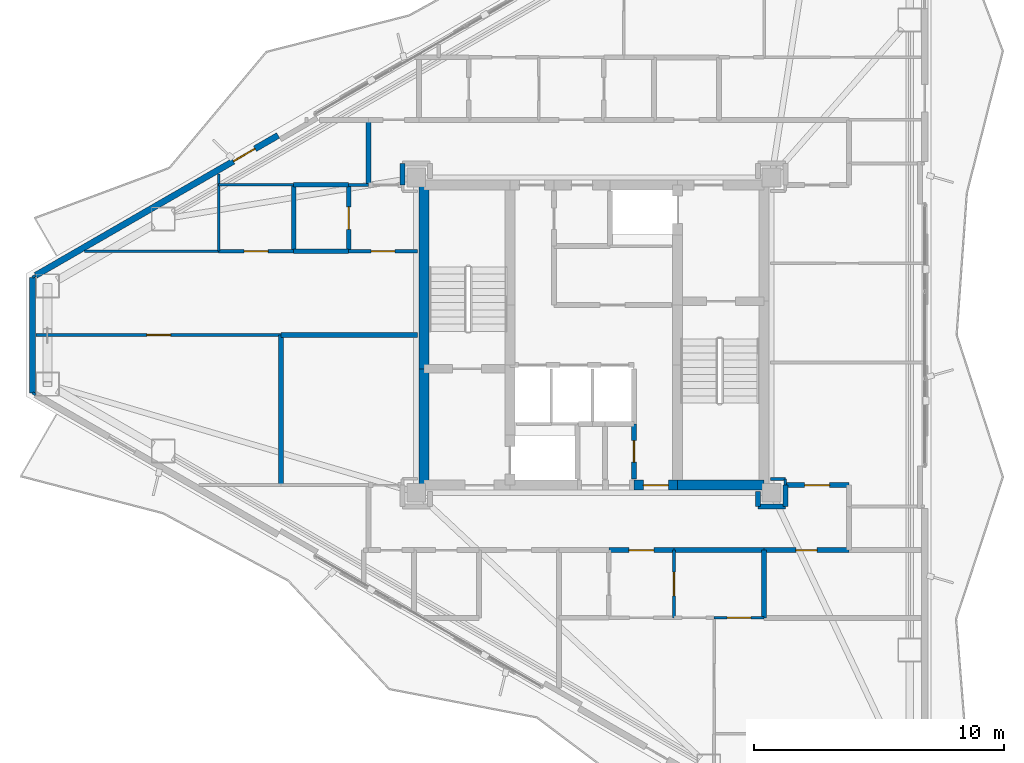
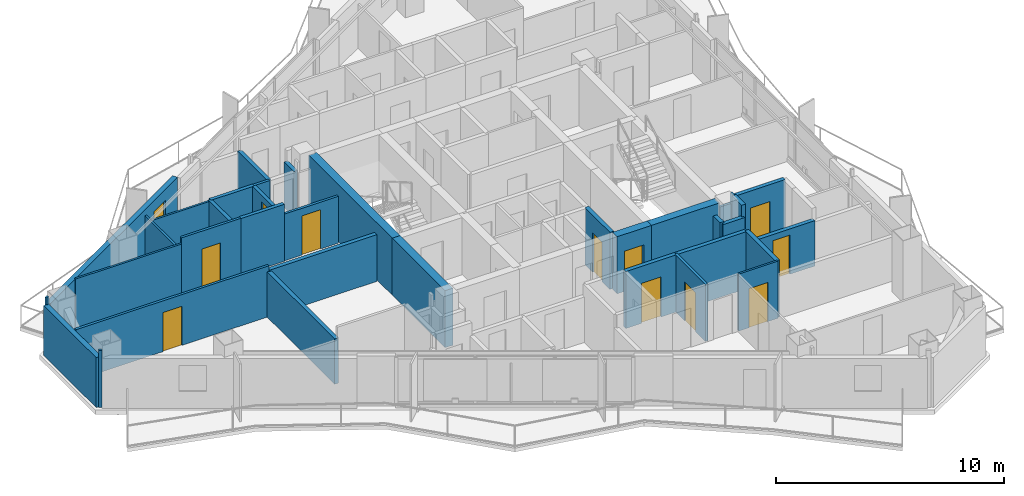
# One storey, part 13 of 19: 36 walls, 12 doors, 12 openings.
"""IFC4 building model written with IfcOpenShell, lengths in metres."""

from ifc_helpers import new_model, si_unit, direction, frame, frame_2d, origin, place, context, subcontext, project, spatial, rectangle, extrude, material, layer, layer_set, type_object, element, fill, save


model = new_model("IFC4")

# Units and contexts
model_context = context("Model", 3, precision=1e-05, world=origin(), true_north=direction((0.0, 1.0)))
body_context = subcontext(model_context, "Body", "Model", "MODEL_VIEW")
ifc_project = project(units=[si_unit("LENGTHUNIT", "METRE"), si_unit("AREAUNIT", "SQUARE_METRE"), si_unit("VOLUMEUNIT", "CUBIC_METRE"), si_unit("PLANEANGLEUNIT", "RADIAN"), si_unit("MASSUNIT", "GRAM", prefix="KILO")], contexts=[model_context])

# Site, building, storey
site_placement = place(None, origin())
site = spatial("IfcSite", under=ifc_project, at=site_placement, CompositionType="ELEMENT")
building_placement = place(site_placement, origin())
building = spatial("IfcBuilding", under=site, at=building_placement, Name="Mersakhor Tower and Convention Hall", CompositionType="ELEMENT")
storey_placement = place(building_placement, frame((0.0, 0.0, 131.10009765625)))
storey = spatial("IfcBuildingStorey", under=building, at=storey_placement, Name="L36", CompositionType="ELEMENT", Elevation=131.10009765625)

# Wall
ifc_material_1 = material(Name="Precast concrete C40/50", Category="concrete")
ifc_layer_1 = layer(ifc_material_1, 0.25)
ifc_layer_set_1 = layer_set([ifc_layer_1], Name="Precast concrete C40/50")
wall_type_1 = type_object("IfcWallType", Name="WL-EXT-250", PredefinedType="SOLIDWALL", material=ifc_layer_set_1)
wall_1_placement = place(storey_placement, frame((6.560302734375, 24.44140625, 0.0), z_axis=(0.0, 0.0, 1.0), x_axis=(0.0, 1.0, 0.0)))
element("IfcWall", 1, at=wall_1_placement, inside=storey, type_object=wall_type_1, Name="L36 Chamfer Braced Spandrel Wall C3", PredefinedType="SOLIDWALL", context=body_context, shape_type="SweptSolid", body=[
    extrude(rectangle(XDim=4.6171875, YDim=0.25, at=frame_2d((2.30859375, 0.0))), origin(), (0.0, 0.0, 1.0), 2.679931640625),
])

# Wall, opening, door
wall_2_placement = place(storey_placement, frame((6.690185546875, 29.1337890625, 0.0), z_axis=(0.0, 0.0, 1.0), x_axis=(0.866027848477, 0.499995765644, 0.0)))
wall_2 = element("IfcWall", 2, at=wall_2_placement, inside=storey, type_object=wall_type_1, Name="L36 Exterior Facade Wall F1-B1", PredefinedType="SOLIDWALL", context=body_context, shape_type="SweptSolid", body=[
    extrude(rectangle(XDim=11.18603515625, YDim=0.25, at=frame_2d((5.593017578125, 0.0))), origin(), (0.0, 0.0, 1.0), 2.679931640625),
])
opening_1_placement = place(wall_2_placement, frame((9.1220703125, 0.0, 0.0)))
opening_1 = element("IfcOpeningElement", 3, at=opening_1_placement, cuts=wall_2, Name="Opening BD-01", PredefinedType="OPENING", context=body_context, shape_type="SweptSolid", body=[
    extrude(rectangle(XDim=1.0, YDim=2.10009765625, at=frame_2d((0.5, 1.050048828125))), frame((0.0, 0.135009765625, 0.0), z_axis=(0.0, -1.0, 0.0), x_axis=(1.0, 0.0, 0.0)), (0.0, 0.0, 1.0), 0.27001953125),
])
ifc_material_2 = material(Name="Thermally broken dark aluminium and safety glass", Category="aluminium")
door_type_1 = type_object("IfcDoorType", Name="DR-BAL-100x210", OperationType="NOTDEFINED", PredefinedType="DOOR", material=ifc_material_2)
door_1_placement = place(opening_1_placement, origin())
door_1 = element("IfcDoor", 4, at=door_1_placement, inside=storey, type_object=door_type_1, Name="L36 Balcony Terrace Door F1-B1", OperationType="SINGLE_SWING_LEFT", OverallHeight=2.10009765625, OverallWidth=1.0, PredefinedType="DOOR", context=body_context, shape_type="SweptSolid", body=[
    extrude(rectangle(XDim=1.0, YDim=2.10009765625, at=frame_2d((0.5, 1.050048828125))), frame((0.0, 0.02490234375, 0.0), z_axis=(0.0, -1.0, 0.0), x_axis=(1.0, 0.0, 0.0)), (0.0, 0.0, 1.0), 0.050048828125),
])
fill(opening_1, door_1)

ifc_material_3 = material(Name="Moisture-resistant acoustic drywall studwork", Category="other")
ifc_layer_2 = layer(ifc_material_3, 0.175048828125)
ifc_layer_set_2 = layer_set([ifc_layer_2], Name="Moisture-resistant acoustic drywall studwork")
wall_type_2 = type_object("IfcWallType", Name="WL-PLM-175", PredefinedType="PLUMBINGWALL", material=ifc_layer_set_2)
wall_3_placement = place(storey_placement, frame((19.199951171875, 30.10009765625, 0.0), z_axis=(0.0, 0.0, 1.0), x_axis=(0.0, 1.0, 0.0)))
wall_3 = element("IfcWall", 5, at=wall_3_placement, inside=storey, type_object=wall_type_2, Name="L36 Interior Partition Wall P-060", PredefinedType="PLUMBINGWALL", context=body_context, shape_type="SweptSolid", body=[
    extrude(rectangle(XDim=2.64990234375, YDim=0.175048828125, at=frame_2d((1.324951171875, 0.0))), origin(), (0.0, 0.0, 1.0), 2.4326171875),
])
opening_2_placement = place(wall_3_placement, frame((0.875, 0.0, 0.0)))
opening_2 = element("IfcOpeningElement", 6, at=opening_2_placement, cuts=wall_3, Name="Opening WD-01", PredefinedType="OPENING", context=body_context, shape_type="SweptSolid", body=[
    extrude(rectangle(XDim=0.89990234375, YDim=2.10009765625, at=frame_2d((0.449951171875, 1.050048828125))), frame((0.0, 0.097412109375, 0.0), z_axis=(0.0, -1.0, 0.0), x_axis=(1.0, 0.0, 0.0)), (0.0, 0.0, 1.0), 0.195068359375),
])
ifc_material_4 = material(Name="Solid-core hardwood leaf in painted steel frame", Category="steel")
door_type_2 = type_object("IfcDoorType", Name="DR-INT-WET-090x210", OperationType="NOTDEFINED", PredefinedType="DOOR", material=ifc_material_4)
door_2_placement = place(opening_2_placement, origin())
door_2 = element("IfcDoor", 7, at=door_2_placement, inside=storey, type_object=door_type_2, Name="L36 L36 Flat W4 Apartment Hall to L36 Flat W4 Bathroom Door", OperationType="SINGLE_SWING_RIGHT", OverallHeight=2.10009765625, OverallWidth=0.89990234375, PredefinedType="DOOR", context=body_context, shape_type="SweptSolid", body=[
    extrude(rectangle(XDim=0.89990234375, YDim=2.10009765625, at=frame_2d((0.449951171875, 1.050048828125))), frame((0.0, 0.02490234375, 0.0), z_axis=(0.0, -1.0, 0.0), x_axis=(1.0, 0.0, 0.0)), (0.0, 0.0, 1.0), 0.050048828125),
])
fill(opening_2, door_2)

# Walls
wall_4_placement = place(storey_placement, frame((17.0, 32.75, 0.0), z_axis=(0.0, 0.0, 1.0), x_axis=(1.0, 0.0, 0.0)))
element("IfcWall", 8, at=wall_4_placement, inside=storey, type_object=wall_type_2, Name="L36 Interior Partition Wall P-079", PredefinedType="PLUMBINGWALL", context=body_context, shape_type="SweptSolid", body=[
    extrude(rectangle(XDim=2.199951171875, YDim=0.175048828125, at=frame_2d((1.10009765625, 0.0))), origin(), (0.0, 0.0, 1.0), 2.4326171875),
])
wall_5_placement = place(storey_placement, frame((19.199951171875, 30.10009765625, 0.0), z_axis=(0.0, 0.0, 1.0), x_axis=(-1.0, 0.0, 0.0)))
element("IfcWall", 9, at=wall_5_placement, inside=storey, type_object=wall_type_2, Name="L36 Interior Partition Wall P-080", PredefinedType="PLUMBINGWALL", context=body_context, shape_type="SweptSolid", body=[
    extrude(rectangle(XDim=2.199951171875, YDim=0.175048828125, at=frame_2d((1.10009765625, 0.0))), origin(), (0.0, 0.0, 1.0), 3.059814453125),
])
wall_6_placement = place(storey_placement, frame((17.0, 30.10009765625, 0.0), z_axis=(0.0, 0.0, 1.0), x_axis=(0.0, 1.0, 0.0)))
element("IfcWall", 10, at=wall_6_placement, inside=storey, type_object=wall_type_2, Name="L36 Interior Partition Wall P-081", PredefinedType="PLUMBINGWALL", context=body_context, shape_type="SweptSolid", body=[
    extrude(rectangle(XDim=2.64990234375, YDim=0.175048828125, at=frame_2d((1.324951171875, 0.0))), origin(), (0.0, 0.0, 1.0), 2.4326171875),
])

# Wall, opening, door
ifc_material_5 = material(Name="Lightweight gypsum partition", Category="other")
ifc_layer_3 = layer(ifc_material_5, 0.10009765625)
ifc_layer_set_3 = layer_set([ifc_layer_3], Name="Lightweight gypsum partition")
wall_type_3 = type_object("IfcWallType", Name="WL-PRT-100", PredefinedType="PARTITIONING", material=ifc_layer_set_3)
wall_7_placement = place(storey_placement, frame((35.800048828125, 15.449951171875, 0.0), z_axis=(0.0, 0.0, 1.0), x_axis=(-1.0, 0.0, 0.0)))
wall_7 = element("IfcWall", 11, at=wall_7_placement, inside=storey, type_object=wall_type_3, Name="L36 Interior Partition Wall P-076", PredefinedType="PARTITIONING", context=body_context, shape_type="SweptSolid", body=[
    extrude(rectangle(XDim=2.0, YDim=0.10009765625, at=frame_2d((1.0, 0.0))), origin(), (0.0, 0.0, 1.0), 3.059814453125),
])
opening_3_placement = place(wall_7_placement, frame((0.52490234375, 0.0, 0.0)))
opening_3 = element("IfcOpeningElement", 12, at=opening_3_placement, cuts=wall_7, Name="Opening RD-01", PredefinedType="OPENING", context=body_context, shape_type="SweptSolid", body=[
    extrude(rectangle(XDim=0.949951171875, YDim=2.10009765625, at=frame_2d((0.47509765625, 1.050048828125))), frame((0.0, 0.06005859375, 0.0), z_axis=(0.0, -1.0, 0.0), x_axis=(1.0, 0.0, 0.0)), (0.0, 0.0, 1.0), 0.1201171875),
])
ifc_material_6 = material(Name="Solid-core hardwood leaf in painted steel frame", Category="steel")
door_type_3 = type_object("IfcDoorType", Name="DR-INT-RM-095x210", OperationType="NOTDEFINED", PredefinedType="DOOR", material=ifc_material_6)
door_3_placement = place(opening_3_placement, origin())
door_3 = element("IfcDoor", 13, at=door_3_placement, inside=storey, type_object=door_type_3, Name="L36 L36 Flat S3 Kitchen to L36 Flat S3 Dining Room Door", OperationType="SINGLE_SWING_RIGHT", OverallHeight=2.10009765625, OverallWidth=0.949951171875, PredefinedType="DOOR", context=body_context, shape_type="SweptSolid", body=[
    extrude(rectangle(XDim=0.949951171875, YDim=2.10009765625, at=frame_2d((0.47509765625, 1.050048828125))), frame((0.0, 0.02490234375, 0.0), z_axis=(0.0, -1.0, 0.0), x_axis=(1.0, 0.0, 0.0)), (0.0, 0.0, 1.0), 0.050048828125),
])
fill(opening_3, door_3)

# Walls
wall_8_placement = place(storey_placement, frame((14.0, 32.75, 0.0), z_axis=(0.0, 0.0, 1.0), x_axis=(1.0, 0.0, 0.0)))
element("IfcWall", 14, at=wall_8_placement, inside=storey, type_object=wall_type_3, Name="L36 Interior Partition Wall P-082", PredefinedType="PARTITIONING", context=body_context, shape_type="SweptSolid", body=[
    extrude(rectangle(XDim=3.0, YDim=0.10009765625, at=frame_2d((1.5, 0.0))), origin(), (0.0, 0.0, 1.0), 2.364990234375),
])
wall_9_placement = place(storey_placement, frame((14.0, 30.10009765625, 0.0), z_axis=(0.0, 0.0, 1.0), x_axis=(0.0, 1.0, 0.0)))
element("IfcWall", 15, at=wall_9_placement, inside=storey, type_object=wall_type_3, Name="L36 Interior Partition Wall P-084", PredefinedType="PARTITIONING", context=body_context, shape_type="SweptSolid", body=[
    extrude(rectangle(XDim=3.081787109375, YDim=0.10009765625, at=frame_2d((1.541015625, 0.0))), origin(), (0.0, 0.0, 1.0), 2.364990234375),
])
wall_10_placement = place(storey_placement, frame((36.64990234375, 20.75, 0.0), z_axis=(0.0, 0.0, 1.0), x_axis=(0.0, 1.0, 0.0)))
element("IfcWall", 16, at=wall_10_placement, inside=storey, type_object=wall_type_3, Name="L36 Interior Partition Wall P-104", PredefinedType="PARTITIONING", context=body_context, shape_type="SweptSolid", body=[
    extrude(rectangle(XDim=0.25, YDim=0.10009765625, at=frame_2d((0.125, 0.0))), origin(), (0.0, 0.0, 1.0), 3.059814453125),
])
wall_11_placement = place(storey_placement, frame((8.634765625, 30.10009765625, 0.0), z_axis=(0.0, 0.0, 1.0), x_axis=(1.0, 0.0, 0.0)))
element("IfcWall", 17, at=wall_11_placement, inside=storey, type_object=wall_type_3, Name="L36 Interior Partition Wall P-124", PredefinedType="PARTITIONING", context=body_context, shape_type="SweptSolid", body=[
    extrude(rectangle(XDim=5.365234375, YDim=0.10009765625, at=frame_2d((2.6826171875, 0.0))), origin(), (0.0, 0.0, 1.0), 2.724365234375),
])
for number, where, z_axis, x_axis, name in (
    (18, (6.56005859375, 29.05908203125, 0.0), (0.0, 0.0, 1.0), (0.866131372301, 0.499816412211, 0.0), "L36 Interior Partition Wall P-126"),
    (19, (6.68994140625, 24.365966796875, 0.0), (0.0, 0.0, 1.0), (-0.866131372301, 0.499816412211, 0.0), "L36 Interior Partition Wall P-128"),
):
    element("IfcWall", number, at=place(storey_placement, frame(where, z_axis=z_axis, x_axis=x_axis)), inside=storey, type_object=wall_type_3, Name=name, PredefinedType="PARTITIONING", context=body_context, shape_type="SweptSolid", body=[
        extrude(rectangle(XDim=0.14990234375, YDim=0.10009765625, at=frame_2d((0.074951171875, 0.0))), origin(), (0.0, 0.0, 1.0), 3.059814453125),
    ])

# Wall, opening, door
ifc_material_7 = material(Name="Gypsum board acoustic partition", Category="other")
ifc_layer_4 = layer(ifc_material_7, 0.125)
ifc_layer_set_4 = layer_set([ifc_layer_4], Name="Gypsum board acoustic partition")
wall_type_4 = type_object("IfcWallType", Name="WL-PRT-125", PredefinedType="PARTITIONING", material=ifc_layer_set_4)
wall_12_placement = place(storey_placement, frame((32.199951171875, 18.14990234375, 0.0), z_axis=(0.0, 0.0, 1.0), x_axis=(0.0, -1.0, 0.0)))
wall_12 = element("IfcWall", 20, at=wall_12_placement, inside=storey, type_object=wall_type_4, Name="L36 Interior Partition Wall P-057", PredefinedType="PARTITIONING", context=body_context, shape_type="SweptSolid", body=[
    extrude(rectangle(XDim=2.699951171875, YDim=0.125, at=frame_2d((1.35009765625, 0.0))), origin(), (0.0, 0.0, 1.0), 3.059814453125),
])
opening_4_placement = place(wall_12_placement, frame((0.875, 0.0, 0.0)))
opening_4 = element("IfcOpeningElement", 21, at=opening_4_placement, cuts=wall_12, Name="Opening RD-01", PredefinedType="OPENING", context=body_context, shape_type="SweptSolid", body=[
    extrude(rectangle(XDim=0.949951171875, YDim=2.10009765625, at=frame_2d((0.47509765625, 1.050048828125))), frame((0.0, 0.072509765625, 0.0), z_axis=(0.0, -1.0, 0.0), x_axis=(1.0, 0.0, 0.0)), (0.0, 0.0, 1.0), 0.14501953125),
])
door_4_placement = place(opening_4_placement, origin())
door_4 = element("IfcDoor", 22, at=door_4_placement, inside=storey, type_object=door_type_3, Name="L36 L36 Flat S3 Apartment Hall to L36 Flat S3 Kitchen Door", OperationType="SINGLE_SWING_RIGHT", OverallHeight=2.10009765625, OverallWidth=0.949951171875, PredefinedType="DOOR", context=body_context, shape_type="SweptSolid", body=[
    extrude(rectangle(XDim=0.949951171875, YDim=2.10009765625, at=frame_2d((0.47509765625, 1.050048828125))), frame((0.0, 0.02490234375, 0.0), z_axis=(0.0, -1.0, 0.0), x_axis=(1.0, 0.0, 0.0)), (0.0, 0.0, 1.0), 0.050048828125),
])
fill(opening_4, door_4)

wall_13_placement = place(storey_placement, frame((21.949951171875, 30.10009765625, 0.0), z_axis=(0.0, 0.0, 1.0), x_axis=(-1.0, 0.0, 0.0)))
wall_13 = element("IfcWall", 23, at=wall_13_placement, inside=storey, type_object=wall_type_4, Name="L36 Interior Partition Wall P-059", PredefinedType="PARTITIONING", context=body_context, shape_type="SweptSolid", body=[
    extrude(rectangle(XDim=2.75, YDim=0.125, at=frame_2d((1.375, 0.0))), origin(), (0.0, 0.0, 1.0), 2.50830078125),
])
opening_5_placement = place(wall_13_placement, frame((0.89990234375, 0.0, 0.0)))
opening_5 = element("IfcOpeningElement", 24, at=opening_5_placement, cuts=wall_13, Name="Opening RD-01", PredefinedType="OPENING", context=body_context, shape_type="SweptSolid", body=[
    extrude(rectangle(XDim=0.949951171875, YDim=2.10009765625, at=frame_2d((0.47509765625, 1.050048828125))), frame((0.0, 0.072509765625, 0.0), z_axis=(0.0, -1.0, 0.0), x_axis=(1.0, 0.0, 0.0)), (0.0, 0.0, 1.0), 0.14501953125),
])
door_5_placement = place(opening_5_placement, origin())
door_5 = element("IfcDoor", 25, at=door_5_placement, inside=storey, type_object=door_type_3, Name="L36 L36 Flat W4 Apartment Hall to L36 Flat W4 Living and Dining Room Door", OperationType="SINGLE_SWING_LEFT", OverallHeight=2.10009765625, OverallWidth=0.949951171875, PredefinedType="DOOR", context=body_context, shape_type="SweptSolid", body=[
    extrude(rectangle(XDim=0.949951171875, YDim=2.10009765625, at=frame_2d((0.47509765625, 1.050048828125))), frame((0.0, 0.02490234375, 0.0), z_axis=(0.0, -1.0, 0.0), x_axis=(1.0, 0.0, 0.0)), (0.0, 0.0, 1.0), 0.050048828125),
])
fill(opening_5, door_5)

# Wall
wall_14_placement = place(storey_placement, frame((19.199951171875, 32.75, 0.0), z_axis=(0.0, 0.0, 1.0), x_axis=(1.0, 0.0, 0.0)))
element("IfcWall", 26, at=wall_14_placement, inside=storey, type_object=wall_type_4, Name="L36 Interior Partition Wall P-061", PredefinedType="PARTITIONING", context=body_context, shape_type="SweptSolid", body=[
    extrude(rectangle(XDim=0.800048828125, YDim=0.125, at=frame_2d((0.39990234375, 0.0))), origin(), (0.0, 0.0, 1.0), 2.4326171875),
])

# Wall, opening, door
wall_15_placement = place(storey_placement, frame((17.0, 30.10009765625, 0.0), z_axis=(0.0, 0.0, 1.0), x_axis=(-1.0, 0.0, 0.0)))
wall_15 = element("IfcWall", 27, at=wall_15_placement, inside=storey, type_object=wall_type_4, Name="L36 Interior Partition Wall P-083", PredefinedType="PARTITIONING", context=body_context, shape_type="SweptSolid", body=[
    extrude(rectangle(XDim=3.0, YDim=0.125, at=frame_2d((1.5, 0.0))), origin(), (0.0, 0.0, 1.0), 3.059814453125),
])
opening_6_placement = place(wall_15_placement, frame((1.02490234375, 0.0, 0.0)))
opening_6 = element("IfcOpeningElement", 28, at=opening_6_placement, cuts=wall_15, Name="Opening RD-01", PredefinedType="OPENING", context=body_context, shape_type="SweptSolid", body=[
    extrude(rectangle(XDim=0.949951171875, YDim=2.10009765625, at=frame_2d((0.47509765625, 1.050048828125))), frame((0.0, 0.072509765625, 0.0), z_axis=(0.0, -1.0, 0.0), x_axis=(1.0, 0.0, 0.0)), (0.0, 0.0, 1.0), 0.14501953125),
])
door_6_placement = place(opening_6_placement, origin())
door_6 = element("IfcDoor", 29, at=door_6_placement, inside=storey, type_object=door_type_3, Name="L36 L36 Flat W4 Kitchen to L36 Flat W4 Living and Dining Room Door", OperationType="SINGLE_SWING_LEFT", OverallHeight=2.10009765625, OverallWidth=0.949951171875, PredefinedType="DOOR", context=body_context, shape_type="SweptSolid", body=[
    extrude(rectangle(XDim=0.949951171875, YDim=2.10009765625, at=frame_2d((0.47509765625, 1.050048828125))), frame((0.0, 0.02490234375, 0.0), z_axis=(0.0, -1.0, 0.0), x_axis=(1.0, 0.0, 0.0)), (0.0, 0.0, 1.0), 0.050048828125),
])
fill(opening_6, door_6)

# Wall
wall_16_placement = place(storey_placement, frame((36.64990234375, 21.0, 0.0), z_axis=(0.0, 0.0, 1.0), x_axis=(-1.0, 0.0, 0.0)))
element("IfcWall", 30, at=wall_16_placement, inside=storey, type_object=wall_type_4, Name="L36 Interior Partition Wall P-105", PredefinedType="PARTITIONING", context=body_context, shape_type="SweptSolid", body=[
    extrude(rectangle(XDim=0.599853515625, YDim=0.125, at=frame_2d((0.2998046875, 0.0))), origin(), (0.0, 0.0, 1.0), 2.50830078125),
])

# Wall, opening, door
wall_17_placement = place(storey_placement, frame((16.5, 26.75, 0.0), z_axis=(0.0, 0.0, 1.0), x_axis=(-1.0, 0.0, 0.0)))
wall_17 = element("IfcWall", 31, at=wall_17_placement, inside=storey, type_object=wall_type_4, Name="L36 Interior Partition Wall P-125", PredefinedType="PARTITIONING", context=body_context, shape_type="SweptSolid", body=[
    extrude(rectangle(XDim=9.790771484375, YDim=0.125, at=frame_2d((4.8955078125, 0.0))), origin(), (0.0, 0.0, 1.0), 2.724365234375),
])
opening_7_placement = place(wall_17_placement, frame((4.42041015625, 0.0, 0.0)))
opening_7 = element("IfcOpeningElement", 32, at=opening_7_placement, cuts=wall_17, Name="Opening RD-01", PredefinedType="OPENING", context=body_context, shape_type="SweptSolid", body=[
    extrude(rectangle(XDim=0.949951171875, YDim=2.10009765625, at=frame_2d((0.47509765625, 1.050048828125))), frame((0.0, 0.072509765625, 0.0), z_axis=(0.0, -1.0, 0.0), x_axis=(1.0, 0.0, 0.0)), (0.0, 0.0, 1.0), 0.14501953125),
])
door_7_placement = place(opening_7_placement, origin())
door_7 = element("IfcDoor", 33, at=door_7_placement, inside=storey, type_object=door_type_3, Name="L36 L36 Flat W4 Living and Dining Room to L36 Flat W4 Master Bedroom Door", OperationType="SINGLE_SWING_LEFT", OverallHeight=2.10009765625, OverallWidth=0.949951171875, PredefinedType="DOOR", context=body_context, shape_type="SweptSolid", body=[
    extrude(rectangle(XDim=0.949951171875, YDim=2.10009765625, at=frame_2d((0.47509765625, 1.050048828125))), frame((0.0, 0.02490234375, 0.0), z_axis=(0.0, -1.0, 0.0), x_axis=(1.0, 0.0, 0.0)), (0.0, 0.0, 1.0), 0.050048828125),
])
fill(opening_7, door_7)

ifc_material_8 = material(Name="Acoustic concrete blockwork and gypsum board", Category="masonry")
ifc_layer_5 = layer(ifc_material_8, 0.199951171875)
ifc_layer_set_5 = layer_set([ifc_layer_5], Name="Acoustic concrete blockwork and gypsum board")
wall_type_5 = type_object("IfcWallType", Name="WL-PRT-200", PredefinedType="PARTITIONING", material=ifc_layer_set_5)
wall_18_placement = place(storey_placement, frame((30.60009765625, 21.0, 0.0), z_axis=(0.0, 0.0, 1.0), x_axis=(0.0, 1.0, 0.0)))
wall_18 = element("IfcWall", 34, at=wall_18_placement, inside=storey, type_object=wall_type_5, Name="L36 Interior Partition Wall P-012", PredefinedType="PARTITIONING", context=body_context, shape_type="SweptSolid", body=[
    extrude(rectangle(XDim=2.199951171875, YDim=0.199951171875, at=frame_2d((1.10009765625, 0.0))), origin(), (0.0, 0.0, 1.0), 3.059814453125),
])
opening_8_placement = place(wall_18_placement, frame((0.675048828125, 0.0, 0.0)))
opening_8 = element("IfcOpeningElement", 35, at=opening_8_placement, cuts=wall_18, Name="Opening SVD-01", PredefinedType="OPENING", context=body_context, shape_type="SweptSolid", body=[
    extrude(rectangle(XDim=0.85009765625, YDim=2.10009765625, at=frame_2d((0.425048828125, 1.050048828125))), frame((0.0, 0.10986328125, 0.0), z_axis=(0.0, -1.0, 0.0), x_axis=(1.0, 0.0, 0.0)), (0.0, 0.0, 1.0), 0.219970703125),
])
ifc_material_9 = material(Name="Fire-rated hardwood leaf and painted steel frame", Category="steel")
door_type_4 = type_object("IfcDoorType", Name="DR-INT-SVC-085x210", OperationType="NOTDEFINED", PredefinedType="DOOR", material=ifc_material_9)
door_8_placement = place(opening_8_placement, origin())
door_8 = element("IfcDoor", 36, at=door_8_placement, inside=storey, type_object=door_type_4, Name="L36 Central Passenger Lift Lobby to Core Maintenance Store Room Door", OperationType="SINGLE_SWING_RIGHT", OverallHeight=2.10009765625, OverallWidth=0.85009765625, PredefinedType="DOOR", context=body_context, shape_type="SweptSolid", body=[
    extrude(rectangle(XDim=0.85009765625, YDim=2.10009765625, at=frame_2d((0.425048828125, 1.050048828125))), frame((0.0, 0.02490234375, 0.0), z_axis=(0.0, -1.0, 0.0), x_axis=(1.0, 0.0, 0.0)), (0.0, 0.0, 1.0), 0.050048828125),
])
fill(opening_8, door_8)

# Walls
wall_19_placement = place(storey_placement, frame((21.35009765625, 33.60009765625, 0.0), z_axis=(0.0, 0.0, 1.0), x_axis=(0.0, -1.0, 0.0)))
element("IfcWall", 37, at=wall_19_placement, inside=storey, type_object=wall_type_5, Name="L36 Interior Partition Wall P-019", PredefinedType="PARTITIONING", context=body_context, shape_type="SweptSolid", body=[
    extrude(rectangle(XDim=0.85009765625, YDim=0.199951171875, at=frame_2d((0.425048828125, 0.0))), origin(), (0.0, 0.0, 1.0), 2.4326171875),
])
wall_20_placement = place(storey_placement, frame((20.0, 32.75, 0.0), z_axis=(0.0, 0.0, 1.0), x_axis=(0.0, 1.0, 0.0)))
element("IfcWall", 38, at=wall_20_placement, inside=storey, type_object=wall_type_5, Name="L36 Interior Partition Wall P-021", PredefinedType="PARTITIONING", context=body_context, shape_type="SweptSolid", body=[
    extrude(rectangle(XDim=2.60009765625, YDim=0.199951171875, at=frame_2d((1.300048828125, 0.0))), origin(), (0.0, 0.0, 1.0), 2.4326171875),
])
wall_21_placement = place(storey_placement, frame((35.550048828125, 20.5, 0.0), z_axis=(0.0, 0.0, 1.0), x_axis=(0.0, -1.0, 0.0)))
element("IfcWall", 39, at=wall_21_placement, inside=storey, type_object=wall_type_5, Name="L36 Interior Partition Wall P-035", PredefinedType="PARTITIONING", context=body_context, shape_type="SweptSolid", body=[
    extrude(rectangle(XDim=0.60009765625, YDim=0.199951171875, at=frame_2d((0.300048828125, 0.0))), origin(), (0.0, 0.0, 1.0), 2.50830078125),
])
wall_22_placement = place(storey_placement, frame((35.550048828125, 19.89990234375, 0.0), z_axis=(0.0, 0.0, 1.0), x_axis=(1.0, 0.0, 0.0)))
element("IfcWall", 40, at=wall_22_placement, inside=storey, type_object=wall_type_5, Name="L36 Interior Partition Wall P-036", PredefinedType="PARTITIONING", context=body_context, shape_type="SweptSolid", body=[
    extrude(rectangle(XDim=1.099853515625, YDim=0.199951171875, at=frame_2d((0.5498046875, 0.0))), origin(), (0.0, 0.0, 1.0), 2.4326171875),
])
wall_23_placement = place(storey_placement, frame((36.64990234375, 19.89990234375, 0.0), z_axis=(0.0, 0.0, 1.0), x_axis=(0.0, 1.0, 0.0)))
element("IfcWall", 41, at=wall_23_placement, inside=storey, type_object=wall_type_5, Name="L36 Interior Partition Wall P-037", PredefinedType="PARTITIONING", context=body_context, shape_type="SweptSolid", body=[
    extrude(rectangle(XDim=0.85009765625, YDim=0.199951171875, at=frame_2d((0.425048828125, 0.0))), origin(), (0.0, 0.0, 1.0), 3.059814453125),
])

# Wall, opening, door
wall_24_placement = place(storey_placement, frame((36.64990234375, 20.75, 0.0), z_axis=(0.0, 0.0, 1.0), x_axis=(1.0, 0.0, 0.0)))
wall_24 = element("IfcWall", 42, at=wall_24_placement, inside=storey, type_object=wall_type_5, Name="L36 Interior Partition Wall P-038", PredefinedType="PARTITIONING", context=body_context, shape_type="SweptSolid", body=[
    extrude(rectangle(XDim=2.550048828125, YDim=0.199951171875, at=frame_2d((1.27490234375, 0.0))), origin(), (0.0, 0.0, 1.0), 3.059814453125),
])
opening_9_placement = place(wall_24_placement, frame((0.77490234375, 0.0, 0.0)))
opening_9 = element("IfcOpeningElement", 43, at=opening_9_placement, cuts=wall_24, Name="Opening FD-01", PredefinedType="OPENING", context=body_context, shape_type="SweptSolid", body=[
    extrude(rectangle(XDim=1.0, YDim=2.14990234375, at=frame_2d((0.5, 1.074951171875))), frame((0.0, 0.10986328125, 0.0), z_axis=(0.0, -1.0, 0.0), x_axis=(1.0, 0.0, 0.0)), (0.0, 0.0, 1.0), 0.219970703125),
])
ifc_material_10 = material(Name="Fire-rated hardwood leaf and painted steel frame", Category="steel")
door_type_5 = type_object("IfcDoorType", Name="DR-INT-FLT-100x215", OperationType="NOTDEFINED", PredefinedType="DOOR", material=ifc_material_10)
door_9_placement = place(opening_9_placement, origin())
door_9 = element("IfcDoor", 44, at=door_9_placement, inside=storey, type_object=door_type_5, Name="L36 Residential South Gallery Corridor to L36 East Wing Residents Reading Lounge Door", OperationType="SINGLE_SWING_LEFT", OverallHeight=2.14990234375, OverallWidth=1.0, PredefinedType="DOOR", context=body_context, shape_type="SweptSolid", body=[
    extrude(rectangle(XDim=1.0, YDim=2.14990234375, at=frame_2d((0.5, 1.074951171875))), frame((0.0, 0.02490234375, 0.0), z_axis=(0.0, -1.0, 0.0), x_axis=(1.0, 0.0, 0.0)), (0.0, 0.0, 1.0), 0.050048828125),
])
fill(opening_9, door_9)

wall_25_placement = place(storey_placement, frame((39.199951171875, 18.14990234375, 0.0), z_axis=(0.0, 0.0, 1.0), x_axis=(-1.0, 0.0, 0.0)))
wall_25 = element("IfcWall", 45, at=wall_25_placement, inside=storey, type_object=wall_type_5, Name="L36 Interior Partition Wall P-041", PredefinedType="PARTITIONING", context=body_context, shape_type="SweptSolid", body=[
    extrude(rectangle(XDim=3.39990234375, YDim=0.199951171875, at=frame_2d((1.699951171875, 0.0))), origin(), (0.0, 0.0, 1.0), 2.4326171875),
])
opening_10_placement = place(wall_25_placement, frame((1.27490234375, 0.0, 0.0)))
opening_10 = element("IfcOpeningElement", 46, at=opening_10_placement, cuts=wall_25, Name="Opening SVD-01", PredefinedType="OPENING", context=body_context, shape_type="SweptSolid", body=[
    extrude(rectangle(XDim=0.85009765625, YDim=2.10009765625, at=frame_2d((0.425048828125, 1.050048828125))), frame((0.0, 0.10986328125, 0.0), z_axis=(0.0, -1.0, 0.0), x_axis=(1.0, 0.0, 0.0)), (0.0, 0.0, 1.0), 0.219970703125),
])
door_10_placement = place(opening_10_placement, origin())
door_10 = element("IfcDoor", 47, at=door_10_placement, inside=storey, type_object=door_type_4, Name="L36 Residential South Gallery Corridor to L36 South Wing Household Store Room Door", OperationType="SINGLE_SWING_LEFT", OverallHeight=2.10009765625, OverallWidth=0.85009765625, PredefinedType="DOOR", context=body_context, shape_type="SweptSolid", body=[
    extrude(rectangle(XDim=0.85009765625, YDim=2.10009765625, at=frame_2d((0.425048828125, 1.050048828125))), frame((0.0, 0.02490234375, 0.0), z_axis=(0.0, -1.0, 0.0), x_axis=(1.0, 0.0, 0.0)), (0.0, 0.0, 1.0), 0.050048828125),
])
fill(opening_10, door_10)

# Wall
wall_26_placement = place(storey_placement, frame((35.800048828125, 18.14990234375, 0.0), z_axis=(0.0, 0.0, 1.0), x_axis=(-1.0, 0.0, 0.0)))
element("IfcWall", 48, at=wall_26_placement, inside=storey, type_object=wall_type_5, Name="L36 Interior Partition Wall P-042", PredefinedType="PARTITIONING", context=body_context, shape_type="SweptSolid", body=[
    extrude(rectangle(XDim=3.60009765625, YDim=0.199951171875, at=frame_2d((1.800048828125, 0.0))), origin(), (0.0, 0.0, 1.0), 3.059814453125),
])

# Wall, opening, door
wall_27_placement = place(storey_placement, frame((32.199951171875, 18.14990234375, 0.0), z_axis=(0.0, 0.0, 1.0), x_axis=(-1.0, 0.0, 0.0)))
wall_27 = element("IfcWall", 49, at=wall_27_placement, inside=storey, type_object=wall_type_5, Name="L36 Interior Partition Wall P-043", PredefinedType="PARTITIONING", context=body_context, shape_type="SweptSolid", body=[
    extrude(rectangle(XDim=2.599853515625, YDim=0.199951171875, at=frame_2d((1.2998046875, 0.0))), origin(), (0.0, 0.0, 1.0), 3.059814453125),
])
opening_11_placement = place(wall_27_placement, frame((0.800048828125, 0.0, 0.0)))
opening_11 = element("IfcOpeningElement", 50, at=opening_11_placement, cuts=wall_27, Name="Opening FD-01", PredefinedType="OPENING", context=body_context, shape_type="SweptSolid", body=[
    extrude(rectangle(XDim=1.0, YDim=2.14990234375, at=frame_2d((0.5, 1.074951171875))), frame((0.0, 0.10986328125, 0.0), z_axis=(0.0, -1.0, 0.0), x_axis=(1.0, 0.0, 0.0)), (0.0, 0.0, 1.0), 0.219970703125),
])
door_11_placement = place(opening_11_placement, origin())
door_11 = element("IfcDoor", 51, at=door_11_placement, inside=storey, type_object=door_type_5, Name="L36 Apartment Entrance Door (Residential South Gallery Corridor to L36 Flat S3 Apartment Hall)", OperationType="SINGLE_SWING_LEFT", OverallHeight=2.14990234375, OverallWidth=1.0, PredefinedType="DOOR", context=body_context, shape_type="SweptSolid", body=[
    extrude(rectangle(XDim=1.0, YDim=2.14990234375, at=frame_2d((0.5, 1.074951171875))), frame((0.0, 0.02490234375, 0.0), z_axis=(0.0, -1.0, 0.0), x_axis=(1.0, 0.0, 0.0)), (0.0, 0.0, 1.0), 0.050048828125),
])
fill(opening_11, door_11)

# Walls
wall_28_placement = place(storey_placement, frame((35.800048828125, 18.14990234375, 0.0), z_axis=(0.0, 0.0, 1.0), x_axis=(0.0, -1.0, 0.0)))
element("IfcWall", 52, at=wall_28_placement, inside=storey, type_object=wall_type_5, Name="L36 Interior Partition Wall P-078", PredefinedType="PARTITIONING", context=body_context, shape_type="SweptSolid", body=[
    extrude(rectangle(XDim=2.699951171875, YDim=0.199951171875, at=frame_2d((1.35009765625, 0.0))), origin(), (0.0, 0.0, 1.0), 3.059814453125),
])
wall_29_placement = place(storey_placement, frame((16.5, 20.75, 0.0), z_axis=(0.0, 0.0, 1.0), x_axis=(0.0, 1.0, 0.0)))
element("IfcWall", 53, at=wall_29_placement, inside=storey, type_object=wall_type_5, Name="L36 Interior Partition Wall P-094", PredefinedType="PARTITIONING", context=body_context, shape_type="SweptSolid", body=[
    extrude(rectangle(XDim=6.0, YDim=0.199951171875, at=frame_2d((3.0, 0.0))), origin(), (0.0, 0.0, 1.0), 2.4326171875),
])
wall_30_placement = place(storey_placement, frame((16.5, 26.75, 0.0), z_axis=(0.0, 0.0, 1.0), x_axis=(1.0, 0.0, 0.0)))
element("IfcWall", 54, at=wall_30_placement, inside=storey, type_object=wall_type_5, Name="L36 Interior Partition Wall P-095", PredefinedType="PARTITIONING", context=body_context, shape_type="SweptSolid", body=[
    extrude(rectangle(XDim=5.449951171875, YDim=0.199951171875, at=frame_2d((2.72509765625, 0.0))), origin(), (0.0, 0.0, 1.0), 2.50830078125),
])
ifc_material_11 = material(Name="Concrete C60/75", Category="concrete")
ifc_layer_6 = layer(ifc_material_11, 0.39990234375)
ifc_layer_set_6 = layer_set([ifc_layer_6], Name="Concrete C60/75")
wall_type_6 = type_object("IfcWallType", Name="WL-SHR-400", PredefinedType="SHEAR", material=ifc_layer_set_6)
wall_31_placement = place(storey_placement, frame((22.199951171875, 20.75, 0.0), z_axis=(0.0, 0.0, 1.0), x_axis=(0.0, 1.0, 0.0)))
element("IfcWall", 55, at=wall_31_placement, inside=storey, type_object=wall_type_6, Name="L36 Core Wall CW-W1", PredefinedType="SHEAR", context=body_context, shape_type="SweptSolid", body=[
    extrude(rectangle(XDim=4.64990234375, YDim=0.39990234375, at=frame_2d((2.324951171875, 0.0))), origin(), (0.0, 0.0, 1.0), 3.059814453125),
])
wall_32_placement = place(storey_placement, frame((22.199951171875, 25.39990234375, 0.0), z_axis=(0.0, 0.0, 1.0), x_axis=(0.0, 1.0, 0.0)))
element("IfcWall", 56, at=wall_32_placement, inside=storey, type_object=wall_type_6, Name="L36 Core Wall CW-W2", PredefinedType="SHEAR", context=body_context, shape_type="SweptSolid", body=[
    extrude(rectangle(XDim=7.35009765625, YDim=0.39990234375, at=frame_2d((3.675048828125, 0.0))), origin(), (0.0, 0.0, 1.0), 3.059814453125),
])
wall_33_placement = place(storey_placement, frame((35.800048828125, 20.75, 0.0), z_axis=(0.0, 0.0, 1.0), x_axis=(-1.0, 0.0, 0.0)))
element("IfcWall", 57, at=wall_33_placement, inside=storey, type_object=wall_type_6, Name="L36 Core Wall CW-S1", PredefinedType="SHEAR", context=body_context, shape_type="SweptSolid", body=[
    extrude(rectangle(XDim=3.449951171875, YDim=0.39990234375, at=frame_2d((1.72509765625, 0.0))), origin(), (0.0, 0.0, 1.0), 3.059814453125),
])

# Wall, opening, door
wall_34_placement = place(storey_placement, frame((32.35009765625, 20.75, 0.0), z_axis=(0.0, 0.0, 1.0), x_axis=(-1.0, 0.0, 0.0)))
wall_34 = element("IfcWall", 58, at=wall_34_placement, inside=storey, type_object=wall_type_6, Name="L36 Core Wall CW-S2A", PredefinedType="SHEAR", context=body_context, shape_type="SweptSolid", body=[
    extrude(rectangle(XDim=1.75, YDim=0.39990234375, at=frame_2d((0.875, 0.0))), origin(), (0.0, 0.0, 1.0), 3.059814453125),
])
opening_12_placement = place(wall_34_placement, frame((0.375, 0.0, 0.0)))
opening_12 = element("IfcOpeningElement", 59, at=opening_12_placement, cuts=wall_34, Name="Opening CFD-01", PredefinedType="OPENING", context=body_context, shape_type="SweptSolid", body=[
    extrude(rectangle(XDim=1.0, YDim=2.14990234375, at=frame_2d((0.5, 1.074951171875))), frame((0.0, 0.2099609375, 0.0), z_axis=(0.0, -1.0, 0.0), x_axis=(1.0, 0.0, 0.0)), (0.0, 0.0, 1.0), 0.419921875),
])
ifc_material_12 = material(Name="Fire-rated hardwood leaf and painted steel frame", Category="steel")
door_type_6 = type_object("IfcDoorType", Name="DR-CORE-FD-100x215", OperationType="NOTDEFINED", PredefinedType="DOOR", material=ifc_material_12)
door_12_placement = place(opening_12_placement, origin())
door_12 = element("IfcDoor", 60, at=door_12_placement, inside=storey, type_object=door_type_6, Name="L36 Lift Lobby South Corridor Door", OperationType="SINGLE_SWING_RIGHT", OverallHeight=2.14990234375, OverallWidth=1.0, PredefinedType="DOOR", context=body_context, shape_type="SweptSolid", body=[
    extrude(rectangle(XDim=1.0, YDim=2.14990234375, at=frame_2d((0.5, 1.074951171875))), frame((0.0, 0.02490234375, 0.0), z_axis=(0.0, -1.0, 0.0), x_axis=(1.0, 0.0, 0.0)), (0.0, 0.0, 1.0), 0.050048828125),
])
fill(opening_12, door_12)

save(model, "model.ifc")
